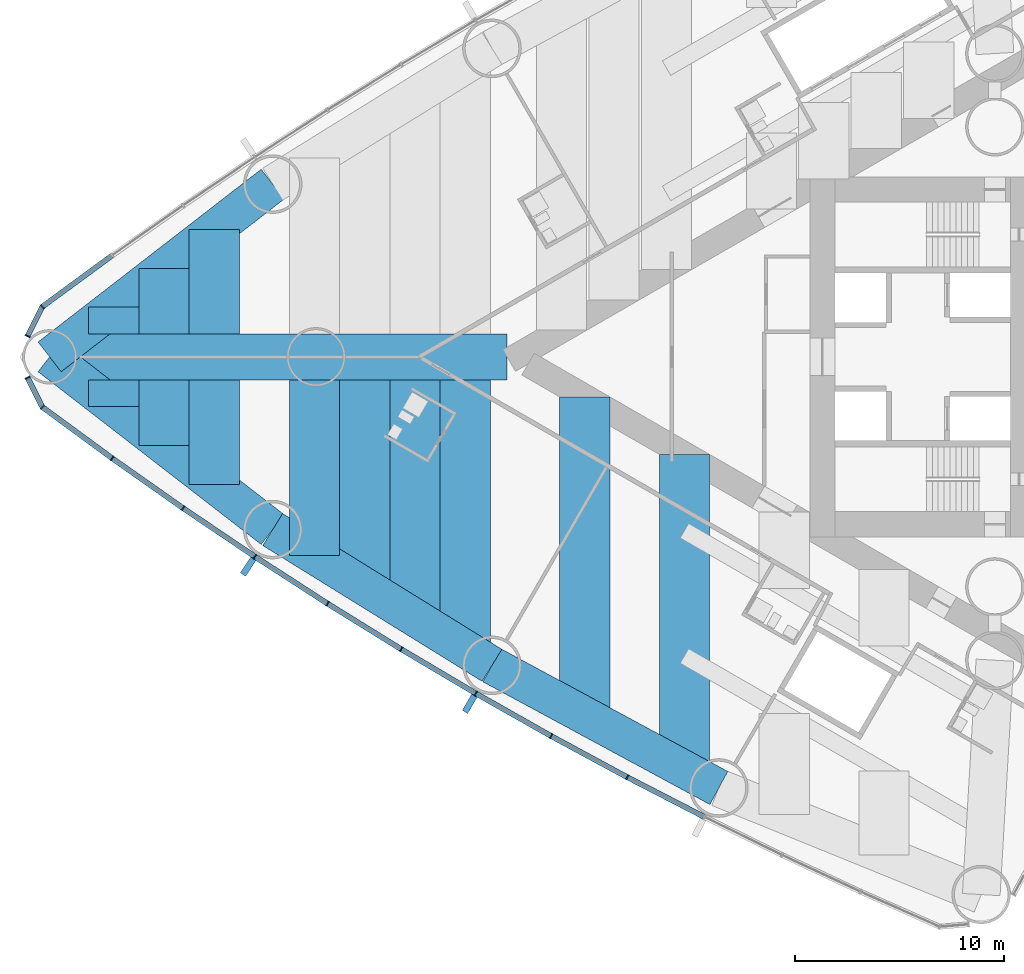
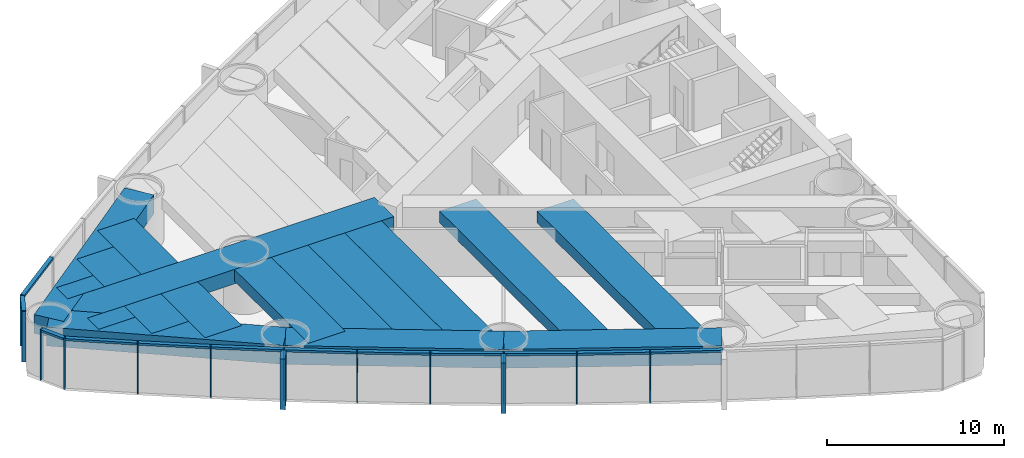
# One storey, part 2 of 18: 26 members, 17 beams, 2 elements without a shape of their own.
"""IFC4 building model written with IfcOpenShell, lengths in metres."""

import ifcopenshell
import ifcopenshell.guid

model = None  # the IFC model being written
_history = None  # IfcOwnerHistory: only IFC2X3 demands one
_inside = {}  # id of a spatial element -> (the spatial element, [elements in it])
_under = {}  # id of a project, library or spatial element -> (it, [spatial elements below it])
_declared = {}  # id of a project -> (the project, [libraries it declares])
_typed = {}  # id of a type object -> (the type object, [elements of that type])
_made_of = {}  # id of a material, layer set ... -> (it, [elements and type objects made of it])


def new_model(schema):
    """Start an empty IFC model of exactly this schema.

    Asked for "IFC4X3", IfcOpenShell would pick the latest addendum, in which some entities
    have other attributes; the version numbers below select the first issue.
    IFC2X3 requires an IfcOwnerHistory on every rooted entity: one is made here for all.
    """
    global model, _history
    if schema == "IFC4X3":
        model = ifcopenshell.file(schema_version=(4, 3, 0, 0))
    else:
        model = ifcopenshell.file(schema=schema)
    _inside.clear()
    _under.clear()
    _declared.clear()
    _typed.clear()
    _made_of.clear()
    _history = None
    if model.schema == "IFC2X3":
        org = make("IfcOrganization", Name="unknown")
        user = make(
            "IfcPersonAndOrganization",
            ThePerson=make("IfcPerson", FamilyName="unknown"),
            TheOrganization=org,
        )
        app = make(
            "IfcApplication",
            ApplicationDeveloper=org,
            Version="unknown",
            ApplicationFullName="unknown",
            ApplicationIdentifier="unknown",
        )
        _history = make(
            "IfcOwnerHistory",
            OwningUser=user,
            OwningApplication=app,
            ChangeAction="ADDED",
            CreationDate=0,
        )
    return model


def make(cls, **values):
    """One entity of the class cls with the attributes given. An attribute that is None is left unset."""
    return model.create_entity(
        cls, **{name: value for name, value in values.items() if value is not None}
    )


def rooted(cls, **values):
    """An entity with a GlobalId (a new one), such as an element, a storey or a relation."""
    return make(cls, GlobalId=ifcopenshell.guid.new(), OwnerHistory=_history, **values)


def si_unit(unit_type, name, prefix=None):
    """IfcSIUnit, for example si_unit("LENGTHUNIT", "METRE", prefix="MILLI")."""
    return make("IfcSIUnit", UnitType=unit_type, Prefix=prefix, Name=name)


def assignment(units):
    """IfcUnitAssignment: the units of a project."""
    return None if units is None else make("IfcUnitAssignment", Units=units)


def point(xyz):
    """IfcCartesianPoint."""
    return None if xyz is None else make("IfcCartesianPoint", Coordinates=xyz)


def direction(xyz):
    """IfcDirection."""
    return None if xyz is None else make("IfcDirection", DirectionRatios=xyz)


def frame(location, z_axis=None, x_axis=None):
    """IfcAxis2Placement3D, a coordinate frame: its origin and axes. An axis left out is left unset."""
    return make(
        "IfcAxis2Placement3D",
        Location=point(location),
        Axis=direction(z_axis),
        RefDirection=direction(x_axis),
    )


def frame_2d(location, x_axis=None):
    """IfcAxis2Placement2D, a coordinate frame in the plane: its origin and x axis."""
    return make(
        "IfcAxis2Placement2D", Location=point(location), RefDirection=direction(x_axis)
    )


def origin():
    """The frame at (0, 0, 0) with its axes left unset."""
    return frame((0.0, 0.0, 0.0))


def origin_2d():
    """The frame at (0, 0) in the plane with its x axis left unset."""
    return frame_2d((0.0, 0.0))


def place(relative_to, where):
    """IfcLocalPlacement: puts the frame where relative to a parent placement (None: the world)."""
    return make(
        "IfcLocalPlacement", PlacementRelTo=relative_to, RelativePlacement=where
    )


def context(
    kind, dimensions, precision=None, world=None, true_north=None, identifier=None
):
    """IfcGeometricRepresentationContext, for example the 3D "Model" context."""
    return make(
        "IfcGeometricRepresentationContext",
        ContextIdentifier=identifier,
        ContextType=kind,
        CoordinateSpaceDimension=dimensions,
        Precision=precision,
        WorldCoordinateSystem=world,
        TrueNorth=true_north,
    )


def subcontext(parent, identifier, kind, view, scale=None):
    """IfcGeometricRepresentationSubContext, for example "Body" below "Model"."""
    return make(
        "IfcGeometricRepresentationSubContext",
        ContextIdentifier=identifier,
        ContextType=kind,
        ParentContext=parent,
        TargetScale=scale,
        TargetView=view,
    )


def project(units=None, contexts=None):
    """IfcProject with its units and contexts."""
    return rooted(
        "IfcProject",
        Name="project",
        RepresentationContexts=contexts,
        UnitsInContext=assignment(units),
    )


def spatial(cls, under=None, at=None, **own):
    """A site, building, storey or space (cls), placed at a placement, below another one or the project."""
    s = rooted(cls, ObjectPlacement=at, **own)
    if under is not None:
        _under.setdefault(under.id(), (under, []))[1].append(s)
    return s


def profile(cls, at=None, kind="AREA", **sizes):
    """A parametric profile (cls). Its sizes go by their IFC names, for example OverallWidth=200.0."""
    return make(cls, ProfileType=kind, Position=at, **sizes)


def rectangle(**sizes):
    """IfcRectangleProfileDef."""
    return profile("IfcRectangleProfileDef", **sizes)


def extrude(swept, where, along, depth):
    """IfcExtrudedAreaSolid: the profile swept, set in the frame where, extruded along a direction by depth."""
    return make(
        "IfcExtrudedAreaSolid",
        SweptArea=swept,
        Position=where,
        ExtrudedDirection=direction(along),
        Depth=depth,
    )


def shape(context_of_items, identifier, shape_type, items):
    """IfcShapeRepresentation: the items that make up one representation, for example the "Body"."""
    return make(
        "IfcShapeRepresentation",
        ContextOfItems=context_of_items,
        RepresentationIdentifier=identifier,
        RepresentationType=shape_type,
        Items=items,
    )


def material(Name=None, Category=None):
    """IfcMaterial."""
    return make("IfcMaterial", Name=Name, Category=Category)


def material_profile(
    of_material, cross_section, Name=None, Category=None, Priority=None
):
    """IfcMaterialProfile: a cross section and its material."""
    return make(
        "IfcMaterialProfile",
        Name=Name,
        Material=of_material,
        Profile=cross_section,
        Priority=Priority,
        Category=Category,
    )


def profile_set(profiles, Name=None, composite=None):
    """IfcMaterialProfileSet."""
    return make(
        "IfcMaterialProfileSet",
        Name=Name,
        MaterialProfiles=profiles,
        CompositeProfile=composite,
    )


def made_of(thing, what):
    """Note that an element or type object is made of a material, layer set ...; save() writes the relation."""
    if what is not None:
        _made_of.setdefault(what.id(), (what, []))[1].append(thing)
    return thing


def type_object(cls, material=None, **own):
    """A type object (cls), such as IfcWallType, which elements share."""
    return made_of(rooted(cls, **own), material)


def element(
    cls,
    number,
    at=None,
    inside=None,
    cuts=None,
    type_object=None,
    material=None,
    context=None,
    identifier="Body",
    shape_type=None,
    held_by="IfcProductDefinitionShape",
    body=None,
    shapes=None,
    **own,
):
    """One element of the class cls, such as IfcWall. Its Tag is "e" and its number.

    at: its placement. inside: the storey or other place that contains it. cuts: it is an
    opening in that element (IfcRelVoidsElement). A single representation is given by context,
    identifier, shape_type and body (its items); several are given by shapes. held_by: the class
    of the entity that holds the representations. save() writes the other relations.
    """
    e = rooted(cls, Tag="e%d" % number, ObjectPlacement=at, **own)
    if body is not None:
        shapes = [shape(context, identifier, shape_type, body)]
    if shapes is not None:
        e.Representation = make(held_by, Representations=shapes)
    if inside is not None:
        _inside.setdefault(inside.id(), (inside, []))[1].append(e)
    if cuts is not None:
        rooted(
            "IfcRelVoidsElement", RelatingBuildingElement=cuts, RelatedOpeningElement=e
        )
    if type_object is not None:
        _typed.setdefault(type_object.id(), (type_object, []))[1].append(e)
    return made_of(e, material)


def aggregate(whole, parts):
    """IfcRelAggregates: a whole, such as a stair, and the parts it consists of."""
    return rooted("IfcRelAggregates", RelatingObject=whole, RelatedObjects=parts)


def save(model, path):
    """Write the relations noted so far, then the file.

    IfcRelAggregates (storeys below a building ...), IfcRelContainedInSpatialStructure (elements
    in a storey), IfcRelDefinesByType, IfcRelAssociatesMaterial and IfcRelDeclares: one each for
    every whole, place, type object, material and project.
    """
    for whole, parts in _under.values():
        aggregate(whole, parts)
    for where, things in _inside.values():
        rooted(
            "IfcRelContainedInSpatialStructure",
            RelatedElements=things,
            RelatingStructure=where,
        )
    for kind, things in _typed.values():
        rooted("IfcRelDefinesByType", RelatedObjects=things, RelatingType=kind)
    for what, things in _made_of.values():
        rooted("IfcRelAssociatesMaterial", RelatedObjects=things, RelatingMaterial=what)
    for by, libraries in _declared.values():
        rooted("IfcRelDeclares", RelatingContext=by, RelatedDefinitions=libraries)
    model.write(path)


model = new_model("IFC4")

# Units and contexts
model_context = context("Model", 3, precision=1e-05, world=origin(), true_north=direction((0.0, 1.0)))
body_context = subcontext(model_context, "Body", "Model", "MODEL_VIEW")
ifc_project = project(units=[si_unit("LENGTHUNIT", "METRE"), si_unit("AREAUNIT", "SQUARE_METRE"), si_unit("VOLUMEUNIT", "CUBIC_METRE"), si_unit("PLANEANGLEUNIT", "RADIAN"), si_unit("MASSUNIT", "GRAM", prefix="KILO")], contexts=[model_context])

# Site, building, storey
site_placement = place(None, origin())
site = spatial("IfcSite", under=ifc_project, at=site_placement, CompositionType="ELEMENT")
building_placement = place(site_placement, origin())
building = spatial("IfcBuilding", under=site, at=building_placement, Name="Lancet Gate Hotel", CompositionType="ELEMENT")
storey_placement = place(building_placement, frame((0.0, 0.0, 46.0)))
storey = spatial("IfcBuildingStorey", under=building, at=storey_placement, Name="L11", CompositionType="ELEMENT", Elevation=46.0)

# Curtain wall, members
ifc_material_1 = material(Name="Aluminium curtain wall", Category="aluminium")
curtain_wall_type = type_object("IfcCurtainWallType", Name="Tower unitised curtain wall", PredefinedType="USERDEFINED", material=ifc_material_1)
curtain_wall_1_placement = place(storey_placement, origin())
curtain_wall_1 = element("IfcCurtainWall", 1, at=curtain_wall_1_placement, inside=storey, type_object=curtain_wall_type, Name="T1 L11 curtain wall 2", ObjectType="UNITISED CURTAIN WALL", PredefinedType="USERDEFINED")
ifc_material_2 = material(Name="Aluminium mullion", Category="aluminium")
ifc_material_profile_1 = material_profile(ifc_material_2, rectangle(XDim=0.06494140625, YDim=0.25, at=origin_2d()), Name="MULLION 65x250")
ifc_profile_set_1 = profile_set([ifc_material_profile_1], Name="Aluminium mullion")
member_type_1 = type_object("IfcMemberType", Name="Aluminium mullion 65x250", PredefinedType="MULLION", material=ifc_profile_set_1)
member_1_placement = place(storey_placement, frame((-74.5830078125, 2.401611328125, 0.0), z_axis=(0.0, 0.0, 1.0), x_axis=(-0.723695580132, -0.690119342793, 0.0)))
member_1 = element("IfcMember", 2, at=member_1_placement, type_object=member_type_1, Name="T1 L11 curtain wall 2 mullion 14", PredefinedType="MULLION", context=body_context, shape_type="SweptSolid", body=[
    extrude(rectangle(XDim=0.06494140625, YDim=0.25, at=origin_2d()), origin(), (0.0, 0.0, 1.0), 3.5),
])
member_2_placement = place(storey_placement, frame((-75.287109375, 0.994873046875, 0.0), z_axis=(0.0, 0.0, 1.0), x_axis=(-0.447628324726, -0.89421970617, 0.0)))
member_2 = element("IfcMember", 3, at=member_2_placement, type_object=member_type_1, Name="T1 L11 curtain wall 2 mullion 15", PredefinedType="MULLION", context=body_context, shape_type="SweptSolid", body=[
    extrude(rectangle(XDim=0.06494140625, YDim=0.25, at=origin_2d()), origin(), (0.0, 0.0, 1.0), 3.5),
])

curtain_wall_2_placement = place(storey_placement, origin())
curtain_wall_2 = element("IfcCurtainWall", 4, at=curtain_wall_2_placement, inside=storey, type_object=curtain_wall_type, Name="T1 L11 curtain wall 3", ObjectType="UNITISED CURTAIN WALL", PredefinedType="USERDEFINED")
member_3_placement = place(storey_placement, frame((-75.287109375, -0.994873046875, 0.0), z_axis=(0.0, 0.0, 1.0), x_axis=(0.447628324726, -0.89421970617, 0.0)))
member_3 = element("IfcMember", 5, at=member_3_placement, type_object=member_type_1, Name="T1 L11 curtain wall 3 mullion 1", PredefinedType="MULLION", context=body_context, shape_type="SweptSolid", body=[
    extrude(rectangle(XDim=0.06494140625, YDim=0.25, at=origin_2d()), origin(), (0.0, 0.0, 1.0), 3.5),
])
member_4_placement = place(storey_placement, frame((-74.5830078125, -2.401611328125, 0.0), z_axis=(0.0, 0.0, 1.0), x_axis=(0.723695580132, -0.690119342793, 0.0)))
member_4 = element("IfcMember", 6, at=member_4_placement, type_object=member_type_1, Name="T1 L11 curtain wall 3 mullion 2", PredefinedType="MULLION", context=body_context, shape_type="SweptSolid", body=[
    extrude(rectangle(XDim=0.06494140625, YDim=0.25, at=origin_2d()), origin(), (0.0, 0.0, 1.0), 3.5),
])
member_5_placement = place(storey_placement, frame((-71.244384765625, -4.85009765625, 0.0), z_axis=(0.0, 0.0, 1.0), x_axis=(0.812146623168, -0.583453393578, 0.0)))
member_5 = element("IfcMember", 7, at=member_5_placement, type_object=member_type_1, Name="T1 L11 curtain wall 3 mullion 3", PredefinedType="MULLION", context=body_context, shape_type="SweptSolid", body=[
    extrude(rectangle(XDim=0.06494140625, YDim=0.25, at=origin_2d()), origin(), (0.0, 0.0, 1.0), 3.5),
])
member_6_placement = place(storey_placement, frame((-67.858154296875, -7.232666015625, 0.0), z_axis=(0.0, 0.0, 1.0), x_axis=(0.823425148573, -0.56742490666, 0.0)))
member_6 = element("IfcMember", 8, at=member_6_placement, type_object=member_type_1, Name="T1 L11 curtain wall 3 mullion 4", PredefinedType="MULLION", context=body_context, shape_type="SweptSolid", body=[
    extrude(rectangle(XDim=0.06494140625, YDim=0.25, at=origin_2d()), origin(), (0.0, 0.0, 1.0), 3.5),
])
member_7_placement = place(storey_placement, frame((-64.42626953125, -9.548583984375, 0.0), z_axis=(0.0, 0.0, 1.0), x_axis=(0.834387381945, -0.55117846189, 0.0)))
member_7 = element("IfcMember", 9, at=member_7_placement, type_object=member_type_1, Name="T1 L11 curtain wall 3 mullion 5", PredefinedType="MULLION", context=body_context, shape_type="SweptSolid", body=[
    extrude(rectangle(XDim=0.06494140625, YDim=0.25, at=origin_2d()), origin(), (0.0, 0.0, 1.0), 3.5),
])
member_8_placement = place(storey_placement, frame((-60.949462890625, -11.796630859375, 0.0), z_axis=(0.0, 0.0, 1.0), x_axis=(0.845029112489, -0.534720299827, 0.0)))
member_8 = element("IfcMember", 10, at=member_8_placement, type_object=member_type_1, Name="T1 L11 curtain wall 3 mullion 6", PredefinedType="MULLION", context=body_context, shape_type="SweptSolid", body=[
    extrude(rectangle(XDim=0.06494140625, YDim=0.25, at=origin_2d()), origin(), (0.0, 0.0, 1.0), 3.5),
])
member_9_placement = place(storey_placement, frame((-57.42919921875, -13.97607421875, 0.0), z_axis=(0.0, 0.0, 1.0), x_axis=(0.855346252548, -0.518056742309, 0.0)))
member_9 = element("IfcMember", 11, at=member_9_placement, type_object=member_type_1, Name="T1 L11 curtain wall 3 mullion 7", PredefinedType="MULLION", context=body_context, shape_type="SweptSolid", body=[
    extrude(rectangle(XDim=0.06494140625, YDim=0.25, at=origin_2d()), origin(), (0.0, 0.0, 1.0), 3.5),
])
member_10_placement = place(storey_placement, frame((-53.866943359375, -16.086181640625, 0.0), z_axis=(0.0, 0.0, 1.0), x_axis=(0.86533483912, -0.501194190115, 0.0)))
member_10 = element("IfcMember", 12, at=member_10_placement, type_object=member_type_1, Name="T1 L11 curtain wall 3 mullion 8", PredefinedType="MULLION", context=body_context, shape_type="SweptSolid", body=[
    extrude(rectangle(XDim=0.06494140625, YDim=0.25, at=origin_2d()), origin(), (0.0, 0.0, 1.0), 3.5),
])
member_11_placement = place(storey_placement, frame((-50.26416015625, -18.1259765625, 0.0), z_axis=(0.0, 0.0, 1.0), x_axis=(0.874991035403, -0.484139120464, 0.0)))
member_11 = element("IfcMember", 13, at=member_11_placement, type_object=member_type_1, Name="T1 L11 curtain wall 3 mullion 9", PredefinedType="MULLION", context=body_context, shape_type="SweptSolid", body=[
    extrude(rectangle(XDim=0.06494140625, YDim=0.25, at=origin_2d()), origin(), (0.0, 0.0, 1.0), 3.5),
])
member_12_placement = place(storey_placement, frame((-46.6220703125, -20.094970703125, 0.0), z_axis=(0.0, 0.0, 1.0), x_axis=(0.884311132302, -0.466898084475, 0.0)))
member_12 = element("IfcMember", 14, at=member_12_placement, type_object=member_type_1, Name="T1 L11 curtain wall 3 mullion 10", PredefinedType="MULLION", context=body_context, shape_type="SweptSolid", body=[
    extrude(rectangle(XDim=0.06494140625, YDim=0.25, at=origin_2d()), origin(), (0.0, 0.0, 1.0), 3.5),
])

# Member
ifc_material_3 = material(Name="Aluminium transom", Category="aluminium")
ifc_material_profile_2 = material_profile(ifc_material_3, rectangle(XDim=0.25, YDim=0.14990234375, at=origin_2d()), Name="TRANSOM 250x150")
ifc_profile_set_2 = profile_set([ifc_material_profile_2], Name="Aluminium transom")
member_type_2 = type_object("IfcMemberType", Name="Aluminium transom 250x150", PredefinedType="USERDEFINED", material=ifc_profile_set_2)
member_13_placement = place(storey_placement, frame((-71.2705078125, 4.8310546875, 3.425048828125), z_axis=(-0.806366902144, -0.59141560609, 0.0), x_axis=(0.59141560609, -0.806366902144, 0.0)))
member_13 = element("IfcMember", 15, at=member_13_placement, type_object=member_type_2, Name="T1 L11 curtain wall 2 transom 13", ObjectType="TRANSOM", PredefinedType="USERDEFINED", context=body_context, shape_type="SweptSolid", body=[
    extrude(rectangle(XDim=0.25, YDim=0.14990234375, at=origin_2d()), origin(), (0.0, 0.0, 1.0), 4.0751953125),
])

member_14_placement = place(storey_placement, frame((-74.597412109375, 2.37255859375, 3.425048828125), z_axis=(-0.447731503446, -0.894168049542, 0.0), x_axis=(0.894168049542, -0.447731503446, 0.0)))
member_14 = element("IfcMember", 16, at=member_14_placement, type_object=member_type_2, Name="T1 L11 curtain wall 2 transom 14", ObjectType="TRANSOM", PredefinedType="USERDEFINED", context=body_context, shape_type="SweptSolid", body=[
    extrude(rectangle(XDim=0.25, YDim=0.14990234375, at=origin_2d()), origin(), (0.0, 0.0, 1.0), 1.50830078125),
])

aggregate(curtain_wall_1, [member_1, member_2, member_13, member_14])

member_15_placement = place(storey_placement, frame((-75.272705078125, -1.02392578125, 3.425048828125), z_axis=(0.447731503446, -0.894168049542, 0.0), x_axis=(0.894168049542, 0.447731503446, 0.0)))
member_15 = element("IfcMember", 17, at=member_15_placement, type_object=member_type_2, Name="T1 L11 curtain wall 3 transom 1", ObjectType="TRANSOM", PredefinedType="USERDEFINED", context=body_context, shape_type="SweptSolid", body=[
    extrude(rectangle(XDim=0.25, YDim=0.14990234375, at=origin_2d()), origin(), (0.0, 0.0, 1.0), 1.50830078125),
])

member_16_placement = place(storey_placement, frame((-74.556640625, -2.4208984375, 3.425048828125), z_axis=(0.806366902144, -0.59141560609, 0.0), x_axis=(0.59141560609, 0.806366902144, 0.0)))
member_16 = element("IfcMember", 18, at=member_16_placement, type_object=member_type_2, Name="T1 L11 curtain wall 3 transom 2", ObjectType="TRANSOM", PredefinedType="USERDEFINED", context=body_context, shape_type="SweptSolid", body=[
    extrude(rectangle(XDim=0.25, YDim=0.14990234375, at=origin_2d()), origin(), (0.0, 0.0, 1.0), 4.0751953125),
])

member_17_placement = place(storey_placement, frame((-71.2177734375, -4.868896484375, 3.425048828125), z_axis=(0.817833568345, -0.57545482402, 0.0), x_axis=(0.57545482402, 0.817833568345, 0.0)))
member_17 = element("IfcMember", 19, at=member_17_placement, type_object=member_type_2, Name="T1 L11 curtain wall 3 transom 3", ObjectType="TRANSOM", PredefinedType="USERDEFINED", context=body_context, shape_type="SweptSolid", body=[
    extrude(rectangle(XDim=0.25, YDim=0.14990234375, at=origin_2d()), origin(), (0.0, 0.0, 1.0), 4.075439453125),
])

member_18_placement = place(storey_placement, frame((-67.831298828125, -7.2509765625, 3.425048828125), z_axis=(0.828959086782, -0.559309245804, 0.0), x_axis=(0.559309245804, 0.828959086782, 0.0)))
member_18 = element("IfcMember", 20, at=member_18_placement, type_object=member_type_2, Name="T1 L11 curtain wall 3 transom 4", ObjectType="TRANSOM", PredefinedType="USERDEFINED", context=body_context, shape_type="SweptSolid", body=[
    extrude(rectangle(XDim=0.25, YDim=0.14990234375, at=origin_2d()), origin(), (0.0, 0.0, 1.0), 4.0751953125),
])

member_19_placement = place(storey_placement, frame((-64.39892578125, -9.566162109375, 3.425048828125), z_axis=(0.839729242404, -0.543005340169, 0.0), x_axis=(0.543005340169, 0.839729242404, 0.0)))
member_19 = element("IfcMember", 21, at=member_19_placement, type_object=member_type_2, Name="T1 L11 curtain wall 3 transom 5", ObjectType="TRANSOM", PredefinedType="USERDEFINED", context=body_context, shape_type="SweptSolid", body=[
    extrude(rectangle(XDim=0.25, YDim=0.14990234375, at=origin_2d()), origin(), (0.0, 0.0, 1.0), 4.0751953125),
])

member_20_placement = place(storey_placement, frame((-60.921875, -11.813720703125, 3.425048828125), z_axis=(0.850242165643, -0.526391736032, 0.0), x_axis=(0.526391736032, 0.850242165643, 0.0)))
member_20 = element("IfcMember", 22, at=member_20_placement, type_object=member_type_2, Name="T1 L11 curtain wall 3 transom 6", ObjectType="TRANSOM", PredefinedType="USERDEFINED", context=body_context, shape_type="SweptSolid", body=[
    extrude(rectangle(XDim=0.25, YDim=0.14990234375, at=origin_2d()), origin(), (0.0, 0.0, 1.0), 4.075439453125),
])

member_21_placement = place(storey_placement, frame((-57.4013671875, -13.99267578125, 3.425048828125), z_axis=(0.86039174806, -0.509633240547, 0.0), x_axis=(0.509633240547, 0.86039174806, 0.0)))
member_21 = element("IfcMember", 23, at=member_21_placement, type_object=member_type_2, Name="T1 L11 curtain wall 3 transom 7", ObjectType="TRANSOM", PredefinedType="USERDEFINED", context=body_context, shape_type="SweptSolid", body=[
    extrude(rectangle(XDim=0.25, YDim=0.14990234375, at=origin_2d()), origin(), (0.0, 0.0, 1.0), 4.0751953125),
])

member_22_placement = place(storey_placement, frame((-53.838623046875, -16.102294921875, 3.425048828125), z_axis=(0.870197729943, -0.492702659625, 0.0), x_axis=(0.492702659625, 0.870197729943, 0.0)))
member_22 = element("IfcMember", 24, at=member_22_placement, type_object=member_type_2, Name="T1 L11 curtain wall 3 transom 8", ObjectType="TRANSOM", PredefinedType="USERDEFINED", context=body_context, shape_type="SweptSolid", body=[
    extrude(rectangle(XDim=0.25, YDim=0.14990234375, at=origin_2d()), origin(), (0.0, 0.0, 1.0), 4.0751953125),
])

member_23_placement = place(storey_placement, frame((-50.235595703125, -18.1416015625, 3.425048828125), z_axis=(0.87971396408, -0.475503250675, 0.0), x_axis=(0.475503250675, 0.87971396408, 0.0)))
member_23 = element("IfcMember", 25, at=member_23_placement, type_object=member_type_2, Name="T1 L11 curtain wall 3 transom 9", ObjectType="TRANSOM", PredefinedType="USERDEFINED", context=body_context, shape_type="SweptSolid", body=[
    extrude(rectangle(XDim=0.25, YDim=0.14990234375, at=origin_2d()), origin(), (0.0, 0.0, 1.0), 4.0751953125),
])

member_24_placement = place(storey_placement, frame((-46.593017578125, -20.10986328125, 3.425048828125), z_axis=(0.888859972399, -0.458178949175, 0.0), x_axis=(0.458178949175, 0.888859972399, 0.0)))
member_24 = element("IfcMember", 26, at=member_24_placement, type_object=member_type_2, Name="T1 L11 curtain wall 3 transom 10", ObjectType="TRANSOM", PredefinedType="USERDEFINED", context=body_context, shape_type="SweptSolid", body=[
    extrude(rectangle(XDim=0.25, YDim=0.14990234375, at=origin_2d()), origin(), (0.0, 0.0, 1.0), 4.0751953125),
])

# Beams
ifc_material_4 = material(Name="Concrete C50/60", Category="concrete")
ifc_material_profile_3 = material_profile(ifc_material_4, rectangle(XDim=1.800048828125, YDim=1.300048828125, at=origin_2d()), Name="RC 1800x1300")
ifc_profile_set_3 = profile_set([ifc_material_profile_3], Name="Concrete C50/60")
beam_type_1 = type_object("IfcBeamType", Name="Edge beam RC 1800x1300", PredefinedType="SPANDREL", material=ifc_profile_set_3)
for number, where, z_axis, x_axis, name in (
    (27, (-63.57177734375, 8.255126953125, 2.60009765625), (-0.790736428665, -0.612156761281, 0.0), (0.612156761281, -0.790736428665, 0.0), "T1 edge beam EB1 L11"),
    (28, (-74.235107421875, 0.0, 2.60009765625), (0.790736428665, -0.612156761281, 0.0), (0.612156761281, 0.790736428665, 0.0), "T1 edge beam EB1 L11"),
):
    element("IfcBeam", number, at=place(storey_placement, frame(where, z_axis=z_axis, x_axis=x_axis)), inside=storey, type_object=beam_type_1, Name=name, PredefinedType="SPANDREL", context=body_context, shape_type="SweptSolid", body=[
        extrude(rectangle(XDim=1.800048828125, YDim=1.300048828125, at=origin_2d()), origin(), (0.0, 0.0, 1.0), 13.4853515625),
    ])
for number, where, z_axis, x_axis, name in (
    (29, (-63.57177734375, -8.255126953125, 2.60009765625), (0.850225894333, -0.526418016984, 0.0), (0.526418016984, 0.850225894333, 0.0), "T1 edge beam EB1 L11"),
    (30, (-53.090087890625, -14.744873046875, 2.60009765625), (0.879692855603, -0.475542300749, 0.0), (0.475542300749, 0.879692855603, 0.0), "T1 edge beam EB1 L11"),
):
    element("IfcBeam", number, at=place(storey_placement, frame(where, z_axis=z_axis, x_axis=x_axis)), inside=storey, type_object=beam_type_1, Name=name, PredefinedType="SPANDREL", context=body_context, shape_type="SweptSolid", body=[
        extrude(rectangle(XDim=1.800048828125, YDim=1.300048828125, at=origin_2d()), origin(), (0.0, 0.0, 1.0), 12.328125),
    ])

# Member
ifc_material_5 = material(Name="Precast concrete C50/60", Category="concrete")
ifc_material_profile_4 = material_profile(ifc_material_5, rectangle(XDim=0.300048828125, YDim=0.89990234375, at=origin_2d()), Name="FIN 300x900")
ifc_profile_set_4 = profile_set([ifc_material_profile_4], Name="Precast concrete C50/60")
member_type_3 = type_object("IfcMemberType", Name="Exposed concrete fin 300x900", PredefinedType="USERDEFINED", material=ifc_profile_set_4)
member_25_placement = place(storey_placement, frame((-64.7431640625, -10.0283203125, 0.0), z_axis=(0.0, 0.0, 1.0), x_axis=(0.834387381945, -0.55117846189, 0.0)))
member_25 = element("IfcMember", 31, at=member_25_placement, type_object=member_type_3, Name="T1 L11 curtain wall 3 fin 5", ObjectType="FIN", PredefinedType="USERDEFINED", context=body_context, shape_type="SweptSolid", body=[
    extrude(rectangle(XDim=0.300048828125, YDim=0.89990234375, at=origin_2d()), origin(), (0.0, 0.0, 1.0), 3.5),
])

member_26_placement = place(storey_placement, frame((-54.1552734375, -16.583740234375, 0.0), z_axis=(0.0, 0.0, 1.0), x_axis=(0.86533483912, -0.501194190115, 0.0)))
member_26 = element("IfcMember", 32, at=member_26_placement, type_object=member_type_3, Name="T1 L11 curtain wall 3 fin 8", ObjectType="FIN", PredefinedType="USERDEFINED", context=body_context, shape_type="SweptSolid", body=[
    extrude(rectangle(XDim=0.300048828125, YDim=0.89990234375, at=origin_2d()), origin(), (0.0, 0.0, 1.0), 3.5),
])

aggregate(curtain_wall_2, [member_3, member_4, member_5, member_6, member_7, member_25, member_8, member_9, member_10, member_26, member_11, member_12, member_15, member_16, member_17, member_18, member_19, member_20, member_21, member_22, member_23, member_24])

# Beams
ifc_material_6 = material(Name="Concrete C50/60", Category="concrete")
ifc_material_profile_5 = material_profile(ifc_material_6, rectangle(XDim=2.39990234375, YDim=0.800048828125, at=origin_2d()), Name="RC 2400x800")
ifc_profile_set_5 = profile_set([ifc_material_profile_5], Name="Concrete C50/60")
beam_type_2 = type_object("IfcBeamType", Name="Floor beam RC 2400x800", PredefinedType="BEAM", material=ifc_profile_set_5)
beam_1_placement = place(storey_placement, frame((-43.891357421875, -4.663330078125, 2.85009765625), z_axis=(0.0, -1.0, 0.0), x_axis=(1.0, 0.0, 0.0)))
element("IfcBeam", 33, at=beam_1_placement, inside=storey, type_object=beam_type_2, Name="T1 floor beam F08N L11", PredefinedType="BEAM", context=body_context, shape_type="SweptSolid", body=[
    extrude(rectangle(XDim=2.39990234375, YDim=0.800048828125, at=origin_2d()), origin(), (0.0, 0.0, 1.0), 15.05419921875),
])
beam_2_placement = place(storey_placement, frame((-48.66015625, -1.909912109375, 2.85009765625), z_axis=(0.0, -1.0, 0.0), x_axis=(1.0, 0.0, 0.0)))
element("IfcBeam", 34, at=beam_2_placement, inside=storey, type_object=beam_type_2, Name="T1 floor beam F11N L11", PredefinedType="BEAM", context=body_context, shape_type="SweptSolid", body=[
    extrude(rectangle(XDim=2.39990234375, YDim=0.800048828125, at=origin_2d()), origin(), (0.0, 0.0, 1.0), 15.229736328125),
])
beam_3_placement = place(storey_placement, frame((-54.3681640625, -1.10009765625, 2.85009765625), z_axis=(0.0, -1.0, 0.0), x_axis=(1.0, 0.0, 0.0)))
element("IfcBeam", 35, at=beam_3_placement, inside=storey, type_object=beam_type_2, Name="T1 floor beam F14N L11", PredefinedType="BEAM", context=body_context, shape_type="SweptSolid", body=[
    extrude(rectangle(XDim=2.39990234375, YDim=0.800048828125, at=origin_2d()), origin(), (0.0, 0.0, 1.0), 12.853515625),
])
beam_4_placement = place(storey_placement, frame((-56.768310546875, -1.10009765625, 2.85009765625), z_axis=(0.0, -1.0, 0.0), x_axis=(1.0, 0.0, 0.0)))
element("IfcBeam", 36, at=beam_4_placement, inside=storey, type_object=beam_type_2, Name="T1 floor beam F16N L11", PredefinedType="BEAM", context=body_context, shape_type="SweptSolid", body=[
    extrude(rectangle(XDim=2.39990234375, YDim=0.800048828125, at=origin_2d()), origin(), (0.0, 0.0, 1.0), 11.367431640625),
])
beam_5_placement = place(storey_placement, frame((-59.168212890625, -1.10009765625, 2.85009765625), z_axis=(0.0, -1.0, 0.0), x_axis=(1.0, 0.0, 0.0)))
element("IfcBeam", 37, at=beam_5_placement, inside=storey, type_object=beam_type_2, Name="T1 floor beam F18N L11", PredefinedType="BEAM", context=body_context, shape_type="SweptSolid", body=[
    extrude(rectangle(XDim=2.39990234375, YDim=0.800048828125, at=origin_2d()), origin(), (0.0, 0.0, 1.0), 9.881591796875),
])
beam_6_placement = place(storey_placement, frame((-61.568359375, -1.10009765625, 2.85009765625), z_axis=(0.0, -1.0, 0.0), x_axis=(1.0, 0.0, 0.0)))
element("IfcBeam", 38, at=beam_6_placement, inside=storey, type_object=beam_type_2, Name="T1 floor beam F20N L11", PredefinedType="BEAM", context=body_context, shape_type="SweptSolid", body=[
    extrude(rectangle(XDim=2.39990234375, YDim=0.800048828125, at=origin_2d()), origin(), (0.0, 0.0, 1.0), 8.395751953125),
])
for number, where, z_axis, x_axis, name in (
    (39, (-66.3681640625, 6.09033203125, 2.85009765625), (0.0, -1.0, 0.0), (1.0, 0.0, 0.0), "T1 floor beam F21S L11"),
    (40, (-66.3681640625, -1.10009765625, 2.85009765625), (0.0, -1.0, 0.0), (1.0, 0.0, 0.0), "T1 floor beam F22N L11"),
):
    element("IfcBeam", number, at=place(storey_placement, frame(where, z_axis=z_axis, x_axis=x_axis)), inside=storey, type_object=beam_type_2, Name=name, PredefinedType="BEAM", context=body_context, shape_type="SweptSolid", body=[
        extrude(rectangle(XDim=2.39990234375, YDim=0.800048828125, at=origin_2d()), origin(), (0.0, 0.0, 1.0), 4.990234375),
    ])
for number, where, z_axis, x_axis, name in (
    (41, (-68.768310546875, 4.232421875, 2.85009765625), (0.0, -1.0, 0.0), (1.0, 0.0, 0.0), "T1 floor beam F23S L11"),
    (42, (-68.768310546875, -1.10009765625, 2.85009765625), (0.0, -1.0, 0.0), (1.0, 0.0, 0.0), "T1 floor beam F24N L11"),
):
    element("IfcBeam", number, at=place(storey_placement, frame(where, z_axis=z_axis, x_axis=x_axis)), inside=storey, type_object=beam_type_2, Name=name, PredefinedType="BEAM", context=body_context, shape_type="SweptSolid", body=[
        extrude(rectangle(XDim=2.39990234375, YDim=0.800048828125, at=origin_2d()), origin(), (0.0, 0.0, 1.0), 3.13232421875),
    ])
for number, where, z_axis, x_axis, name in (
    (43, (-71.168212890625, 2.374267578125, 2.85009765625), (0.0, -1.0, 0.0), (1.0, 0.0, 0.0), "T1 floor beam F25S L11"),
    (44, (-71.168212890625, -1.10009765625, 2.85009765625), (0.0, -1.0, 0.0), (1.0, 0.0, 0.0), "T1 floor beam F26N L11"),
):
    element("IfcBeam", number, at=place(storey_placement, frame(where, z_axis=z_axis, x_axis=x_axis)), inside=storey, type_object=beam_type_2, Name=name, PredefinedType="BEAM", context=body_context, shape_type="SweptSolid", body=[
        extrude(rectangle(XDim=2.39990234375, YDim=0.800048828125, at=origin_2d()), origin(), (0.0, 0.0, 1.0), 1.274169921875),
    ])
ifc_material_7 = material(Name="Concrete C50/60", Category="concrete")
ifc_material_profile_6 = material_profile(ifc_material_7, rectangle(XDim=2.199951171875, YDim=1.0, at=origin_2d()), Name="RC 2200x1000")
ifc_profile_set_6 = profile_set([ifc_material_profile_6], Name="Concrete C50/60")
beam_type_3 = type_object("IfcBeamType", Name="Radial floor beam RC 2200x1000", PredefinedType="BEAM", material=ifc_profile_set_6)
beam_7_placement = place(storey_placement, frame((-74.235107421875, 0.0, 2.75), z_axis=(1.0, 0.0, 0.0), x_axis=(0.0, 1.0, 0.0)))
element("IfcBeam", 45, at=beam_7_placement, inside=storey, type_object=beam_type_3, Name="T1 radial beam CA L11", PredefinedType="BEAM", context=body_context, shape_type="SweptSolid", body=[
    extrude(rectangle(XDim=2.199951171875, YDim=1.0, at=origin_2d()), origin(), (0.0, 0.0, 1.0), 21.866943359375),
])

save(model, "model.ifc")
